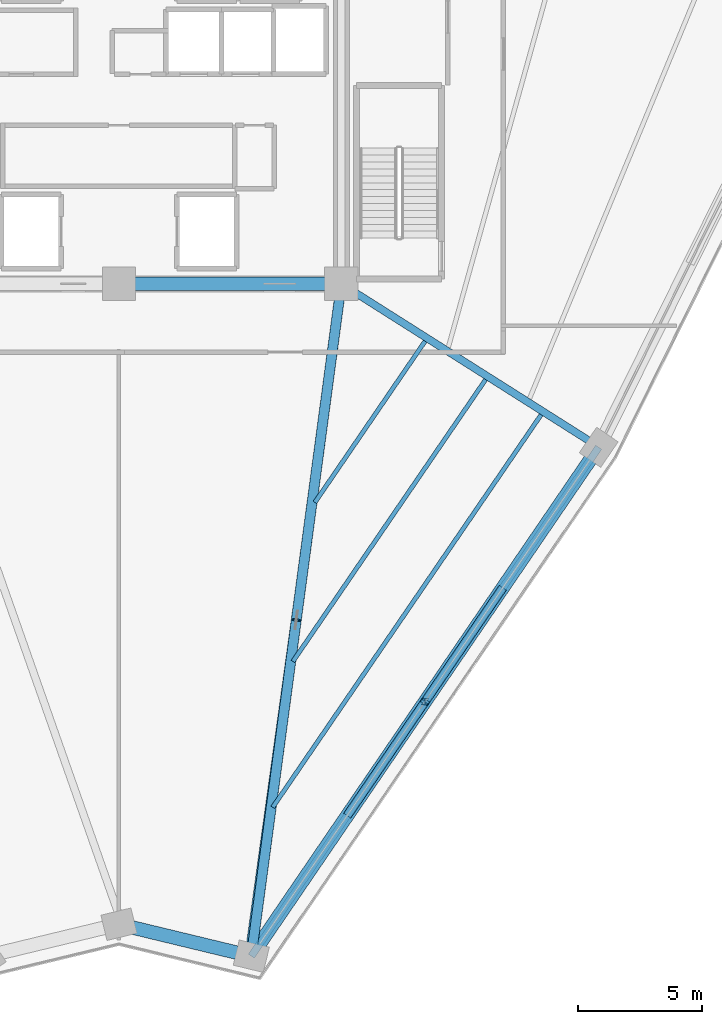
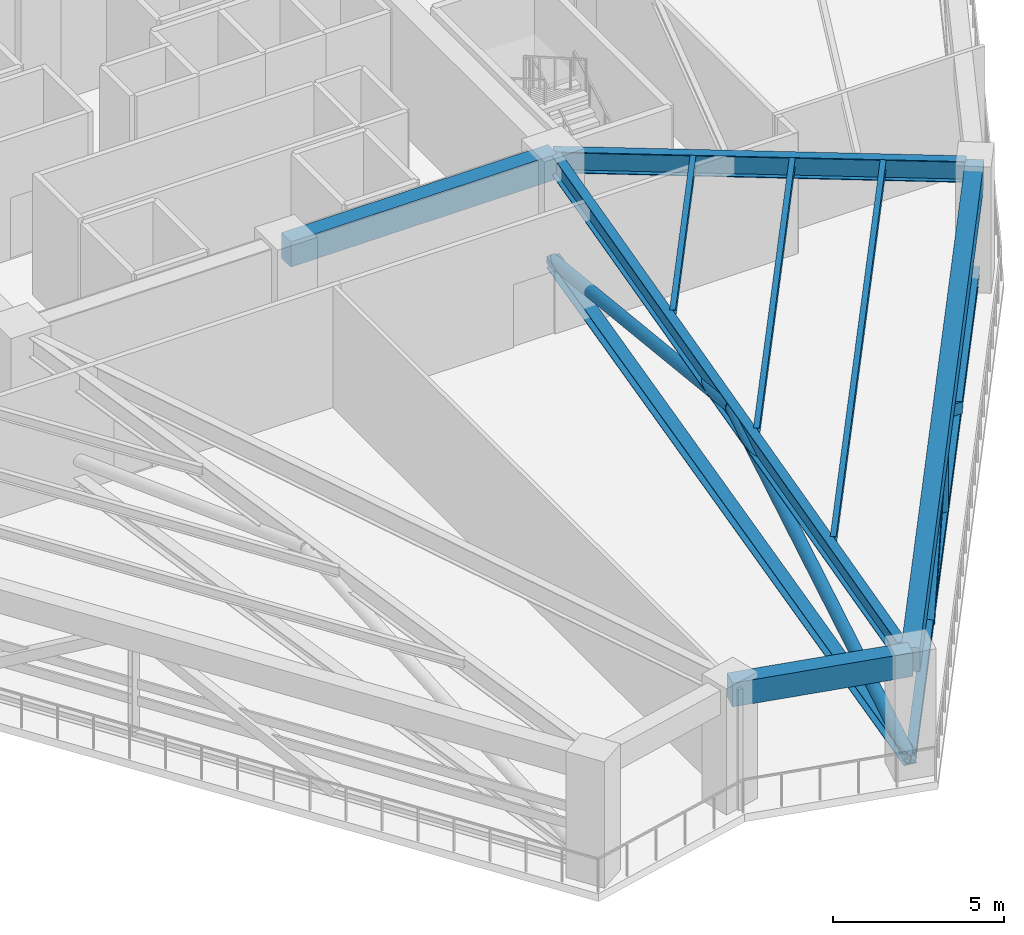
# One storey, part 3 of 25: 8 beams, 7 members.
"""IFC4 building model written with IfcOpenShell, lengths in metres."""

from ifc_helpers import new_model, si_unit, direction, frame, origin, origin_2d, place, context, subcontext, project, spatial, rectangle, hollow_rectangle, hollow_circle, i_section, extrude, source, transform, mapped, material, material_profile, profile_set, type_object, element, save


model = new_model("IFC4")

# Units and contexts
model_context = context("Model", 3, precision=1e-05, world=origin(), true_north=direction((0.0, 1.0)))
body_context = subcontext(model_context, "Body", "Model", "MODEL_VIEW")
ifc_project = project(units=[si_unit("LENGTHUNIT", "METRE"), si_unit("AREAUNIT", "SQUARE_METRE"), si_unit("VOLUMEUNIT", "CUBIC_METRE"), si_unit("PLANEANGLEUNIT", "RADIAN"), si_unit("MASSUNIT", "GRAM", prefix="KILO")], contexts=[model_context])

# Site, building, storey
site_placement = place(None, origin())
site = spatial("IfcSite", under=ifc_project, at=site_placement, CompositionType="ELEMENT")
building_placement = place(site_placement, origin())
building = spatial("IfcBuilding", under=site, at=building_placement, Name="Liaohun Quay Tower", CompositionType="ELEMENT")
storey_placement = place(building_placement, frame((0.0, 0.0, 231.75)))
storey = spatial("IfcBuildingStorey", under=building, at=storey_placement, Name="L60", CompositionType="ELEMENT", Elevation=231.75)

# Member
ifc_material_1 = material(Name="Steel Q355D", Category="steel")
ifc_material_profile_1 = material_profile(ifc_material_1, i_section(OverallWidth=0.25, OverallDepth=0.25, WebThickness=0.009033203125, FlangeThickness=0.013916015625, at=origin_2d()), Name="HW250x250x9x14")
ifc_profile_set_1 = profile_set([ifc_material_profile_1], Name="Steel Q355D")
member_type_1 = type_object("IfcMemberType", Name="MEM-BLT-PST", PredefinedType="POST", material=ifc_profile_set_1)
shared_shape_1 = source(origin(), body_context, "Body", "SweptSolid", [
    extrude(i_section(OverallWidth=0.25, OverallDepth=0.25, WebThickness=0.009033203125, FlangeThickness=0.013916015625, at=origin_2d()), origin(), (0.0, 0.0, 1.0), 3.669921875),
])
member_1_placement = place(storey_placement, frame((72.383056640625, 29.589111328125, 0.35009765625), z_axis=(0.0, 0.0, 1.0), x_axis=(1.0, 0.0, 0.0)))
element("IfcMember", 1, at=member_1_placement, inside=storey, type_object=member_type_1, Name="L60 Belt Truss Vertical Post BP-1-06", PredefinedType="POST", context=body_context, shape_type="MappedRepresentation", body=[
    mapped(shared_shape_1, transform((0.0, 0.0, 0.0), x_axis=(1.0, 0.0, 0.0), y_axis=(0.0, 1.0, 0.0), z_axis=(0.0, 0.0, 1.0), scale=1.0)),
])

# Beams
ifc_material_2 = material(Name="Concrete C55", Category="concrete")
ifc_material_profile_2 = material_profile(ifc_material_2, rectangle(XDim=0.550048828125, YDim=0.89990234375, at=origin_2d()), Name="RC550x900")
ifc_profile_set_2 = profile_set([ifc_material_profile_2], Name="Concrete C55")
beam_type_1 = type_object("IfcBeamType", Name="BM-CPL-2", PredefinedType="LINTEL", material=ifc_profile_set_2)
shared_shape_2 = source(origin(), body_context, "Body", "SweptSolid", [
    extrude(rectangle(XDim=0.550048828125, YDim=0.89990234375, at=origin_2d()), origin(), (0.0, 0.0, 1.0), 9.0),
])
beam_1_placement = place(storey_placement, frame((60.0, 46.5, 3.8701171875), z_axis=(1.0, 0.0, 0.0), x_axis=(0.0, 1.0, 0.0)))
element("IfcBeam", 2, at=beam_1_placement, inside=storey, type_object=beam_type_1, Name="L60 Core Coupling/Ring Beam CC2-CC3", PredefinedType="LINTEL", context=body_context, shape_type="MappedRepresentation", body=[
    mapped(shared_shape_2, transform((0.0, 0.0, 0.0), x_axis=(1.0, 0.0, 0.0), y_axis=(0.0, 1.0, 0.0), z_axis=(0.0, 0.0, 1.0), scale=1.0)),
])
ifc_material_3 = material(Name="Precast concrete C50", Category="concrete")
ifc_material_profile_3 = material_profile(ifc_material_3, rectangle(XDim=0.550048828125, YDim=0.85009765625, at=origin_2d()), Name="RC550x850")
ifc_profile_set_3 = profile_set([ifc_material_profile_3], Name="Precast concrete C50")
beam_type_2 = type_object("IfcBeamType", Name="BM-SPD-Z3", PredefinedType="SPANDREL", material=ifc_profile_set_3)
shared_shape_3 = source(origin(), body_context, "Body", "SweptSolid", [
    extrude(rectangle(XDim=0.550048828125, YDim=0.85009765625, at=origin_2d()), origin(), (0.0, 0.0, 1.0), 24.935302734375),
])
beam_2_placement = place(storey_placement, frame((79.4130859375, 39.885986328125, 3.89501953125), z_axis=(-0.563821911431, -0.825896393133, 0.0), x_axis=(0.825896393133, -0.563821911431, 0.0)))
element("IfcBeam", 3, at=beam_2_placement, inside=storey, type_object=beam_type_2, Name="L60 Precast Spandrel Beam PC10-PC11", PredefinedType="SPANDREL", context=body_context, shape_type="MappedRepresentation", body=[
    mapped(shared_shape_3, transform((0.0, 0.0, 0.0), x_axis=(1.0, 0.0, 0.0), y_axis=(0.0, 1.0, 0.0), z_axis=(0.0, 0.0, 1.0), scale=1.0)),
])
shared_shape_4 = source(origin(), body_context, "Body", "SweptSolid", [
    extrude(rectangle(XDim=0.550048828125, YDim=0.85009765625, at=origin_2d()), origin(), (0.0, 0.0, 1.0), 5.5078125),
])
beam_3_placement = place(storey_placement, frame((65.35400390625, 19.2919921875, 3.89501953125), z_axis=(-0.972056404309, 0.234747410726, 0.0), x_axis=(-0.234747410726, -0.972056404309, 0.0)))
element("IfcBeam", 4, at=beam_3_placement, inside=storey, type_object=beam_type_2, Name="L60 Precast Spandrel Beam PC11-PC12", PredefinedType="SPANDREL", context=body_context, shape_type="MappedRepresentation", body=[
    mapped(shared_shape_4, transform((0.0, 0.0, 0.0), x_axis=(1.0, 0.0, 0.0), y_axis=(0.0, 1.0, 0.0), z_axis=(0.0, 0.0, 1.0), scale=1.0)),
])
ifc_material_profile_4 = material_profile(ifc_material_1, i_section(OverallWidth=0.300048828125, OverallDepth=0.75, WebThickness=0.013916015625, FlangeThickness=0.02587890625, at=origin_2d()), Name="HN750x300x14x26")
ifc_profile_set_4 = profile_set([ifc_material_profile_4], Name="Steel Q355D")
beam_type_3 = type_object("IfcBeamType", Name="BM-RAD-M2", PredefinedType="BEAM", material=ifc_profile_set_4)
shared_shape_5 = source(origin(), body_context, "Body", "SweptSolid", [
    extrude(i_section(OverallWidth=0.300048828125, OverallDepth=0.75, WebThickness=0.013916015625, FlangeThickness=0.02587890625, at=origin_2d()), origin(), (0.0, 0.0, 1.0), 12.085205078125),
])
beam_4_placement = place(storey_placement, frame((69.0, 46.5, 3.945068359375), z_axis=(0.844828206974, -0.535037662881, 0.0), x_axis=(0.535037662881, 0.844828206974, 0.0)))
element("IfcBeam", 5, at=beam_4_placement, inside=storey, type_object=beam_type_3, Name="L60 Radial Primary Girder CC3-PC10", PredefinedType="BEAM", context=body_context, shape_type="MappedRepresentation", body=[
    mapped(shared_shape_5, transform((0.0, 0.0, 0.0), x_axis=(1.0, 0.0, 0.0), y_axis=(0.0, 1.0, 0.0), z_axis=(0.0, 0.0, 1.0), scale=1.0)),
])
ifc_material_profile_5 = material_profile(ifc_material_1, i_section(OverallWidth=0.300048828125, OverallDepth=0.699951171875, WebThickness=0.012939453125, FlangeThickness=0.02392578125, at=origin_2d()), Name="HN700x300x13x24")
ifc_profile_set_5 = profile_set([ifc_material_profile_5], Name="Steel Q355D")
beam_type_4 = type_object("IfcBeamType", Name="BM-RAD-U1", PredefinedType="BEAM", material=ifc_profile_set_5)
shared_shape_6 = source(origin(), body_context, "Body", "SweptSolid", [
    extrude(i_section(OverallWidth=0.300048828125, OverallDepth=0.699951171875, WebThickness=0.012939453125, FlangeThickness=0.02392578125, at=origin_2d()), origin(), (0.0, 0.0, 1.0), 27.080078125),
])
beam_5_placement = place(storey_placement, frame((69.0, 46.5, 3.969970703125), z_axis=(-0.136927823784, -0.990581027011, 0.0), x_axis=(0.990581027011, -0.136927823784, 0.0)))
element("IfcBeam", 6, at=beam_5_placement, inside=storey, type_object=beam_type_4, Name="L60 Radial Primary Girder CC3-PC11", PredefinedType="BEAM", context=body_context, shape_type="MappedRepresentation", body=[
    mapped(shared_shape_6, transform((0.0, 0.0, 0.0), x_axis=(1.0, 0.0, 0.0), y_axis=(0.0, 1.0, 0.0), z_axis=(0.0, 0.0, 1.0), scale=1.0)),
])
ifc_material_profile_6 = material_profile(ifc_material_1, i_section(OverallWidth=0.175048828125, OverallDepth=0.35009765625, WebThickness=0.007080078125, FlangeThickness=0.010986328125, at=origin_2d()), Name="HN350x175x7x11")
ifc_profile_set_6 = profile_set([ifc_material_profile_6], Name="Steel Q355D")
beam_type_5 = type_object("IfcBeamType", Name="BM-SEC-J3", PredefinedType="JOIST", material=ifc_profile_set_6)
shared_shape_7 = source(origin(), body_context, "Body", "SweptSolid", [
    extrude(i_section(OverallWidth=0.175048828125, OverallDepth=0.35009765625, WebThickness=0.007080078125, FlangeThickness=0.010986328125, at=origin_2d()), origin(), (0.0, 0.0, 1.0), 7.899169921875),
])
beam_6_placement = place(storey_placement, frame((72.386962890625, 44.177978515625, 4.14501953125), z_axis=(-0.564362556206, -0.825527046893, 0.0), x_axis=(0.825527046893, -0.564362556206, 0.0)))
element("IfcBeam", 7, at=beam_6_placement, inside=storey, type_object=beam_type_5, Name="L60 Wing Secondary Floor Joist SJ-12", PredefinedType="JOIST", context=body_context, shape_type="MappedRepresentation", body=[
    mapped(shared_shape_7, transform((0.0, 0.0, 0.0), x_axis=(1.0, 0.0, 0.0), y_axis=(0.0, 1.0, 0.0), z_axis=(0.0, 0.0, 1.0), scale=1.0)),
])
shared_shape_8 = source(origin(), body_context, "Body", "SweptSolid", [
    extrude(i_section(OverallWidth=0.175048828125, OverallDepth=0.35009765625, WebThickness=0.007080078125, FlangeThickness=0.010986328125, at=origin_2d()), origin(), (0.0, 0.0, 1.0), 13.817626953125),
])
beam_7_placement = place(storey_placement, frame((74.8369140625, 42.6259765625, 4.14501953125), z_axis=(-0.564342458791, -0.825540785913, 0.0), x_axis=(0.825540785913, -0.564342458791, 0.0)))
element("IfcBeam", 8, at=beam_7_placement, inside=storey, type_object=beam_type_5, Name="L60 Wing Secondary Floor Joist SJ-13", PredefinedType="JOIST", context=body_context, shape_type="MappedRepresentation", body=[
    mapped(shared_shape_8, transform((0.0, 0.0, 0.0), x_axis=(1.0, 0.0, 0.0), y_axis=(0.0, 1.0, 0.0), z_axis=(0.0, 0.0, 1.0), scale=1.0)),
])
shared_shape_9 = source(origin(), body_context, "Body", "SweptSolid", [
    extrude(i_section(OverallWidth=0.175048828125, OverallDepth=0.35009765625, WebThickness=0.007080078125, FlangeThickness=0.010986328125, at=origin_2d()), origin(), (0.0, 0.0, 1.0), 19.242431640625),
])
beam_8_placement = place(storey_placement, frame((77.0830078125, 41.202880859375, 4.14501953125), z_axis=(-0.56438595777, -0.825511048183, 0.0), x_axis=(0.825511048183, -0.56438595777, 0.0)))
element("IfcBeam", 9, at=beam_8_placement, inside=storey, type_object=beam_type_5, Name="L60 Wing Secondary Floor Joist SJ-14", PredefinedType="JOIST", context=body_context, shape_type="MappedRepresentation", body=[
    mapped(shared_shape_9, transform((0.0, 0.0, 0.0), x_axis=(1.0, 0.0, 0.0), y_axis=(0.0, 1.0, 0.0), z_axis=(0.0, 0.0, 1.0), scale=1.0)),
])

# Members
ifc_material_4 = material(Name="Steel Q420D", Category="steel")
ifc_material_profile_7 = material_profile(ifc_material_4, i_section(OverallWidth=0.407958984375, OverallDepth=0.39990234375, WebThickness=0.02099609375, FlangeThickness=0.02099609375, at=origin_2d()), Name="HW400x408x21x21")
ifc_profile_set_7 = profile_set([ifc_material_profile_7], Name="Steel Q420D")
member_type_2 = type_object("IfcMemberType", Name="MEM-OUT-CH2", PredefinedType="CHORD", material=ifc_profile_set_7)
shared_shape_10 = source(origin(), body_context, "Body", "SweptSolid", [
    extrude(i_section(OverallWidth=0.407958984375, OverallDepth=0.39990234375, WebThickness=0.02099609375, FlangeThickness=0.02099609375, at=origin_2d()), origin(), (0.0, 0.0, 1.0), 27.451171875),
])
member_2_placement = place(storey_placement, frame((69.0, 46.5, 0.35009765625), z_axis=(-0.132817314138, -0.991140535477, 0.0), x_axis=(0.991140535477, -0.132817314138, 0.0)))
element("IfcMember", 10, at=member_2_placement, inside=storey, type_object=member_type_2, Name="L60 Outrigger Bottom Chord OC-06", PredefinedType="CHORD", context=body_context, shape_type="MappedRepresentation", body=[
    mapped(shared_shape_10, transform((0.0, 0.0, 0.0), x_axis=(1.0, 0.0, 0.0), y_axis=(0.0, 1.0, 0.0), z_axis=(0.0, 0.0, 1.0), scale=1.0)),
])
ifc_material_profile_8 = material_profile(ifc_material_4, hollow_circle(Radius=0.202880859375, WallThickness=0.01611328125, at=origin_2d()), Name="CHS406x16")
ifc_profile_set_8 = profile_set([ifc_material_profile_8], Name="Steel Q420D")
member_type_3 = type_object("IfcMemberType", Name="MEM-OUT-DG2", PredefinedType="BRACE", material=ifc_profile_set_8)
shared_shape_11 = source(origin(), body_context, "Body", "SweptSolid", [
    extrude(hollow_circle(Radius=0.202880859375, WallThickness=0.01611328125, at=origin_2d()), origin(), (0.0, 0.0, 1.0), 14.207763671875),
])
for number, where, z_axis, x_axis, name in (
    (11, (69.0, 46.5, 0.35009765625), (-0.12830998522, -0.957504887699, 0.258303963819), (0.991140535477, -0.132817314138, 0.0), "L60 Outrigger Diagonal OD-06A"),
    (12, (67.177001953125, 32.89599609375, 4.02001953125), (-0.12830998522, -0.957504887699, -0.258303963819), (0.991140535477, -0.132817314138, 0.0), "L60 Outrigger Diagonal OD-06B"),
):
    element("IfcMember", number, at=place(storey_placement, frame(where, z_axis=z_axis, x_axis=x_axis)), inside=storey, type_object=member_type_3, Name=name, PredefinedType="BRACE", context=body_context, shape_type="MappedRepresentation", body=[
        mapped(shared_shape_11, transform((0.0, 0.0, 0.0), x_axis=(1.0, 0.0, 0.0), y_axis=(0.0, 1.0, 0.0), z_axis=(0.0, 0.0, 1.0), scale=1.0)),
    ])
ifc_material_profile_9 = material_profile(ifc_material_1, hollow_rectangle(XDim=0.35009765625, YDim=0.35009765625, WallThickness=0.01611328125, at=origin_2d()), Name="SHS350x350x16")
ifc_profile_set_9 = profile_set([ifc_material_profile_9], Name="Steel Q355D")
member_type_4 = type_object("IfcMemberType", Name="MEM-BLT-DG2", PredefinedType="BRACE", material=ifc_profile_set_9)
shared_shape_12 = source(origin(), body_context, "Body", "SweptSolid", [
    extrude(hollow_rectangle(XDim=0.35009765625, YDim=0.35009765625, WallThickness=0.01611328125, at=origin_2d()), origin(), (0.0, 0.0, 1.0), 6.599853515625),
])
member_3_placement = place(storey_placement, frame((72.383056640625, 29.589111328125, 4.02001953125), z_axis=(-0.468496127036, -0.686523460061, -0.55605477944), x_axis=(0.825996580332, -0.563675127427, 0.0)))
element("IfcMember", 13, at=member_3_placement, inside=storey, type_object=member_type_4, Name="L60 Belt Truss Diagonal BD-06B", PredefinedType="BRACE", context=body_context, shape_type="MappedRepresentation", body=[
    mapped(shared_shape_12, transform((0.0, 0.0, 0.0), x_axis=(1.0, 0.0, 0.0), y_axis=(0.0, 1.0, 0.0), z_axis=(0.0, 0.0, 1.0), scale=1.0)),
])
ifc_material_profile_10 = material_profile(ifc_material_1, i_section(OverallWidth=0.300048828125, OverallDepth=0.300048828125, WebThickness=0.010009765625, FlangeThickness=0.014892578125, at=origin_2d()), Name="HW300x300x10x15")
ifc_profile_set_10 = profile_set([ifc_material_profile_10], Name="Steel Q355D")
member_type_5 = type_object("IfcMemberType", Name="MEM-BLT-CHD", PredefinedType="CHORD", material=ifc_profile_set_10)
shared_shape_13 = source(origin(), body_context, "Body", "SweptSolid", [
    extrude(i_section(OverallWidth=0.300048828125, OverallDepth=0.300048828125, WebThickness=0.010009765625, FlangeThickness=0.014892578125, at=origin_2d()), origin(), (0.0, 0.0, 1.0), 24.935302734375),
])
member_4_placement = place(storey_placement, frame((79.4130859375, 39.885986328125, 0.35009765625), z_axis=(-0.563821911431, -0.825896393133, 0.0), x_axis=(0.825896393133, -0.563821911431, 0.0)))
element("IfcMember", 14, at=member_4_placement, inside=storey, type_object=member_type_5, Name="L60 Belt Truss Bottom Chord BC-1-06", PredefinedType="CHORD", context=body_context, shape_type="MappedRepresentation", body=[
    mapped(shared_shape_13, transform((0.0, 0.0, 0.0), x_axis=(1.0, 0.0, 0.0), y_axis=(0.0, 1.0, 0.0), z_axis=(0.0, 0.0, 1.0), scale=1.0)),
])
shared_shape_14 = source(origin(), body_context, "Body", "SweptSolid", [
    extrude(hollow_rectangle(XDim=0.35009765625, YDim=0.35009765625, WallThickness=0.01611328125, at=origin_2d()), origin(), (0.0, 0.0, 1.0), 6.600341796875),
])
member_5_placement = place(storey_placement, frame((75.47607421875, 34.1201171875, 0.35009765625), z_axis=(-0.468611603874, -0.686475866784, 0.556016230912), x_axis=(0.825913691888, -0.563796571072, 0.0)))
element("IfcMember", 15, at=member_5_placement, inside=storey, type_object=member_type_4, Name="L60 Belt Truss Diagonal BD-06A", PredefinedType="BRACE", context=body_context, shape_type="MappedRepresentation", body=[
    mapped(shared_shape_14, transform((0.0, 0.0, 0.0), x_axis=(1.0, 0.0, 0.0), y_axis=(0.0, 1.0, 0.0), z_axis=(0.0, 0.0, 1.0), scale=1.0)),
])

save(model, "model.ifc")
